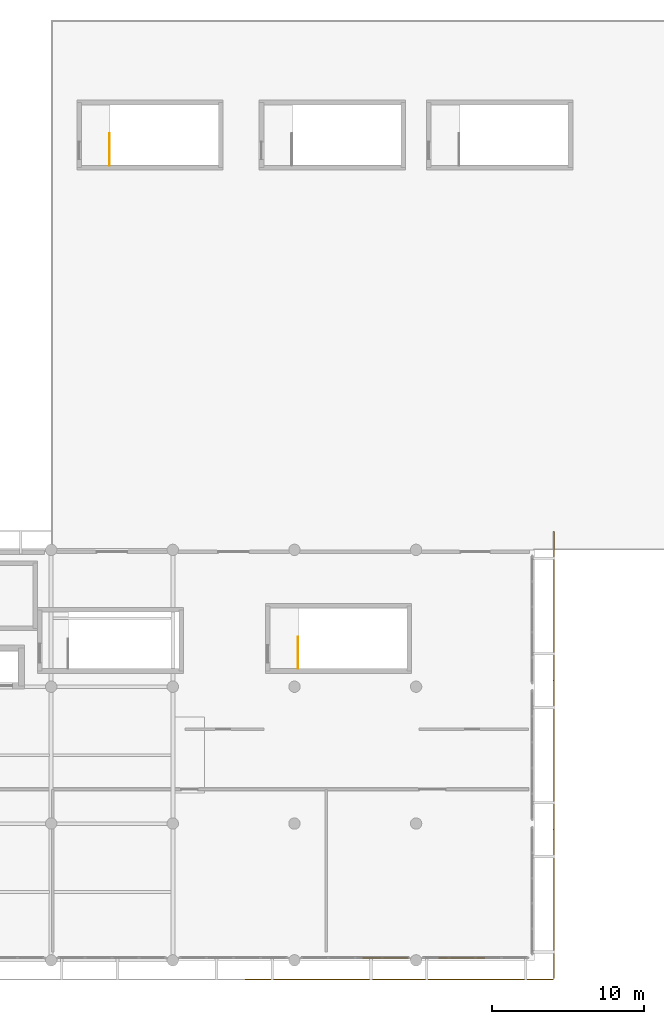
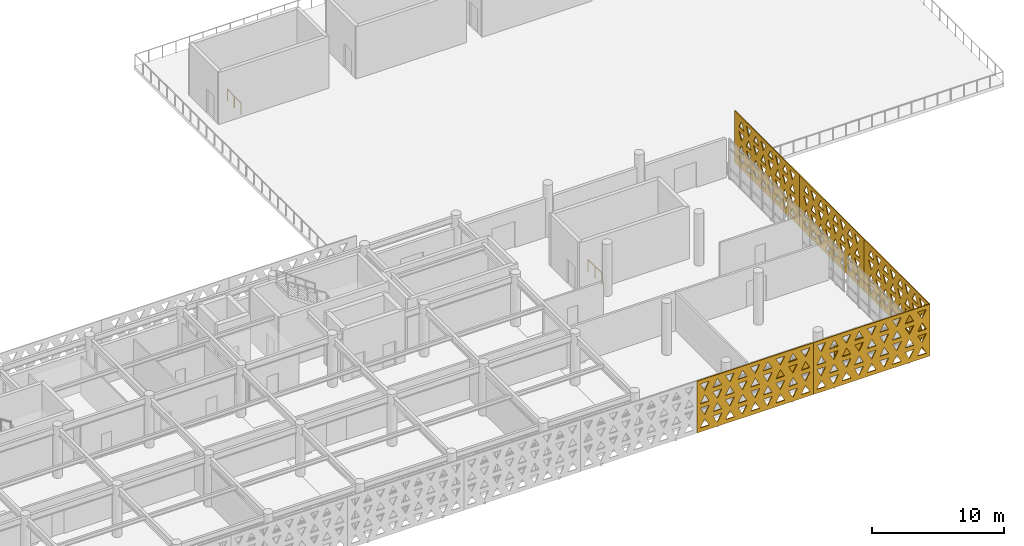
# One storey, part 32 of 33: 5 coverings, 2 railings, 2 shading devices.
"""IFC4 building model written with IfcOpenShell, lengths in metres."""

from ifc_helpers import new_model, si_unit, direction, frame, origin, origin_2d, place, context, subcontext, project, spatial, polyline, rectangle, circle, outline, extrude, material, layer, layer_set, type_object, element, save


model = new_model("IFC4")

# Units and contexts
model_context = context("Model", 3, precision=1e-05, world=origin(), true_north=direction((0.0, 1.0)))
body_context = subcontext(model_context, "Body", "Model", "MODEL_VIEW")
ifc_project = project(units=[si_unit("LENGTHUNIT", "METRE"), si_unit("AREAUNIT", "SQUARE_METRE"), si_unit("VOLUMEUNIT", "CUBIC_METRE"), si_unit("PLANEANGLEUNIT", "RADIAN"), si_unit("MASSUNIT", "GRAM", prefix="KILO")], contexts=[model_context])

# Site, building, storey
site_placement = place(None, origin())
site = spatial("IfcSite", under=ifc_project, at=site_placement, CompositionType="ELEMENT")
building_placement = place(site_placement, origin())
building = spatial("IfcBuilding", under=site, at=building_placement, Name="Tlacozan Convention Centre", CompositionType="ELEMENT")
storey_placement = place(building_placement, frame((0.0, 0.0, 16.199951171875)))
storey = spatial("IfcBuildingStorey", under=building, at=storey_placement, Name="L03", CompositionType="ELEMENT", Elevation=16.199951171875)

# Shading devices
ifc_material_1 = material(Name="Dark Bronze Anodised Aluminium", Category="aluminium")
ifc_layer_1 = layer(ifc_material_1, 0.1201171875)
ifc_layer_set_1 = layer_set([ifc_layer_1], Name="Dark Bronze Anodised Aluminium")
shading_device_type = type_object("IfcShadingDeviceType", Name="Acoustic Plant Louvre Bank", PredefinedType="JALOUSIE", material=ifc_layer_set_1)
for number, where, z_axis, x_axis, name in (
    (1, (110.0, 0.159912109375, 1.35009765625), (0.0, 0.0, 1.0), (1.0, 0.0, 0.0), "L03 Acoustic Plant Louvre 2"),
    (2, (115.0, 0.159912109375, 1.35009765625), (0.0, 0.0, 1.0), (1.0, 0.0, 0.0), "L03 Acoustic Plant Louvre 3"),
):
    element("IfcShadingDevice", number, at=place(storey_placement, frame(where, z_axis=z_axis, x_axis=x_axis)), inside=storey, type_object=shading_device_type, Name=name, PredefinedType="JALOUSIE", context=body_context, shape_type="SweptSolid", body=[
        extrude(rectangle(XDim=3.0, YDim=0.1201171875, at=origin_2d()), origin(), (0.0, 0.0, 1.0), 1.300048828125),
    ])

# Railings
ifc_material_2 = material(Name="Architectural Painted Galvanised Steel Railing", Category="steel")
railing_type = type_object("IfcRailingType", Name="Stair Well Guardrail 1100", PredefinedType="GUARDRAIL", material=ifc_material_2)
railing_1_placement = place(storey_placement, frame((104.22998046875, 19.199951171875, 0.0)))
element("IfcRailing", 3, at=railing_1_placement, inside=storey, type_object=railing_type, Name="L03 ST-05 top well guard 1", PredefinedType="GUARDRAIL", context=body_context, shape_type="SweptSolid", body=[
    extrude(circle(Radius=0.02392578125, at=origin_2d()), frame((0.0, 0.0, 1.076171875), z_axis=(0.0, 1.0, 0.0), x_axis=(-1.0, 0.0, 0.0)), (0.0, 0.0, 1.0), 2.080078125),
    extrude(circle(Radius=0.02099609375, at=origin_2d()), origin(), (0.0, 0.0, 1.0), 1.052001953125),
    extrude(circle(Radius=0.02099609375, at=origin_2d()), frame((0.0, 1.0400390625, 0.0)), (0.0, 0.0, 1.0), 1.052001953125),
    extrude(circle(Radius=0.02099609375, at=origin_2d()), frame((0.0, 2.080078125, 0.0)), (0.0, 0.0, 1.0), 1.052001953125),
])
railing_2_placement = place(storey_placement, frame((91.830078125, 52.300048828125, 0.0)))
element("IfcRailing", 4, at=railing_2_placement, inside=storey, type_object=railing_type, Name="L03 ST-06 top well guard 1", PredefinedType="GUARDRAIL", context=body_context, shape_type="SweptSolid", body=[
    extrude(circle(Radius=0.02392578125, at=origin_2d()), frame((0.0, 0.0, 1.076171875), z_axis=(0.0, 1.0, 0.0), x_axis=(-1.0, 0.0, 0.0)), (0.0, 0.0, 1.0), 2.079833984375),
    extrude(circle(Radius=0.02099609375, at=origin_2d()), origin(), (0.0, 0.0, 1.0), 1.052001953125),
    extrude(circle(Radius=0.02099609375, at=origin_2d()), frame((0.0, 1.0400390625, 0.0)), (0.0, 0.0, 1.0), 1.052001953125),
    extrude(circle(Radius=0.02099609375, at=origin_2d()), frame((0.0, 2.079833984375, 0.0)), (0.0, 0.0, 1.0), 1.052001953125),
])

# Coverings
ifc_material_3 = material(Name="Toluca Fired Terracotta Masonry Solar Screen", Category="masonry")
ifc_layer_2 = layer(ifc_material_3, 0.080078125)
ifc_layer_set_2 = layer_set([ifc_layer_2], Name="Toluca Fired Terracotta Masonry Solar Screen")
covering_type = type_object("IfcCoveringType", Name="Terracotta Triangle Solar Screen 80", PredefinedType="USERDEFINED", material=ifc_layer_set_2)
covering_1_placement = place(storey_placement, frame((100.701904296875, -1.25, -0.030029296875), z_axis=(0.0, 0.0, 1.0), x_axis=(1.0, 0.0, 0.0)))
element("IfcCovering", 5, at=covering_1_placement, inside=storey, type_object=covering_type, Name="L03 Terracotta Triangle Screen 61", ObjectType="SCREEN", PredefinedType="USERDEFINED", context=body_context, shape_type="SweptSolid", body=[
    extrude(outline(polyline([(0.0, 0.0), (10.171142578125, 0.0), (10.171142578125, 4.780029296875), (0.0, 4.780029296875), (0.0, 0.0)]), holes=[polyline([(0.299560546875, 0.360107421875), (1.071533203125, 0.360107421875), (0.685546875, 1.074951171875), (0.299560546875, 0.360107421875)]), polyline([(1.399658203125, 1.074951171875), (2.171630859375, 1.074951171875), (1.78564453125, 0.360107421875), (1.399658203125, 1.074951171875)]), polyline([(2.49951171875, 0.360107421875), (3.271484375, 0.360107421875), (2.885498046875, 1.074951171875), (2.49951171875, 0.360107421875)]), polyline([(3.599609375, 1.074951171875), (4.37158203125, 1.074951171875), (3.985595703125, 0.360107421875), (3.599609375, 1.074951171875)]), polyline([(4.699462890625, 0.360107421875), (5.4716796875, 0.360107421875), (5.08544921875, 1.074951171875), (4.699462890625, 0.360107421875)]), polyline([(5.799560546875, 1.074951171875), (6.571533203125, 1.074951171875), (6.185546875, 0.360107421875), (5.799560546875, 1.074951171875)]), polyline([(6.899658203125, 0.360107421875), (7.671630859375, 0.360107421875), (7.28564453125, 1.074951171875), (6.899658203125, 0.360107421875)]), polyline([(7.99951171875, 1.074951171875), (8.771484375, 1.074951171875), (8.385498046875, 0.360107421875), (7.99951171875, 1.074951171875)]), polyline([(9.099609375, 0.360107421875), (9.87158203125, 0.360107421875), (9.485595703125, 1.074951171875), (9.099609375, 0.360107421875)]), polyline([(0.299560546875, 2.18994140625), (1.071533203125, 2.18994140625), (0.685546875, 1.47509765625), (0.299560546875, 2.18994140625)]), polyline([(1.399658203125, 1.47509765625), (2.171630859375, 1.47509765625), (1.78564453125, 2.18994140625), (1.399658203125, 1.47509765625)]), polyline([(2.49951171875, 2.18994140625), (3.271484375, 2.18994140625), (2.885498046875, 1.47509765625), (2.49951171875, 2.18994140625)]), polyline([(3.599609375, 1.47509765625), (4.37158203125, 1.47509765625), (3.985595703125, 2.18994140625), (3.599609375, 1.47509765625)]), polyline([(4.699462890625, 2.18994140625), (5.4716796875, 2.18994140625), (5.08544921875, 1.47509765625), (4.699462890625, 2.18994140625)]), polyline([(5.799560546875, 1.47509765625), (6.571533203125, 1.47509765625), (6.185546875, 2.18994140625), (5.799560546875, 1.47509765625)]), polyline([(6.899658203125, 2.18994140625), (7.671630859375, 2.18994140625), (7.28564453125, 1.47509765625), (6.899658203125, 2.18994140625)]), polyline([(7.99951171875, 1.47509765625), (8.771484375, 1.47509765625), (8.385498046875, 2.18994140625), (7.99951171875, 1.47509765625)]), polyline([(9.099609375, 2.18994140625), (9.87158203125, 2.18994140625), (9.485595703125, 1.47509765625), (9.099609375, 2.18994140625)]), polyline([(0.299560546875, 2.590087890625), (1.071533203125, 2.590087890625), (0.685546875, 3.304931640625), (0.299560546875, 2.590087890625)]), polyline([(1.399658203125, 3.304931640625), (2.171630859375, 3.304931640625), (1.78564453125, 2.590087890625), (1.399658203125, 3.304931640625)]), polyline([(2.49951171875, 2.590087890625), (3.271484375, 2.590087890625), (2.885498046875, 3.304931640625), (2.49951171875, 2.590087890625)]), polyline([(3.599609375, 3.304931640625), (4.37158203125, 3.304931640625), (3.985595703125, 2.590087890625), (3.599609375, 3.304931640625)]), polyline([(4.699462890625, 2.590087890625), (5.4716796875, 2.590087890625), (5.08544921875, 3.304931640625), (4.699462890625, 2.590087890625)]), polyline([(5.799560546875, 3.304931640625), (6.571533203125, 3.304931640625), (6.185546875, 2.590087890625), (5.799560546875, 3.304931640625)]), polyline([(6.899658203125, 2.590087890625), (7.671630859375, 2.590087890625), (7.28564453125, 3.304931640625), (6.899658203125, 2.590087890625)]), polyline([(7.99951171875, 3.304931640625), (8.771484375, 3.304931640625), (8.385498046875, 2.590087890625), (7.99951171875, 3.304931640625)]), polyline([(9.099609375, 2.590087890625), (9.87158203125, 2.590087890625), (9.485595703125, 3.304931640625), (9.099609375, 2.590087890625)]), polyline([(0.299560546875, 4.419921875), (1.071533203125, 4.419921875), (0.685546875, 3.705078125), (0.299560546875, 4.419921875)]), polyline([(1.399658203125, 3.705078125), (2.171630859375, 3.705078125), (1.78564453125, 4.419921875), (1.399658203125, 3.705078125)]), polyline([(2.49951171875, 4.419921875), (3.271484375, 4.419921875), (2.885498046875, 3.705078125), (2.49951171875, 4.419921875)]), polyline([(3.599609375, 3.705078125), (4.37158203125, 3.705078125), (3.985595703125, 4.419921875), (3.599609375, 3.705078125)]), polyline([(4.699462890625, 4.419921875), (5.4716796875, 4.419921875), (5.08544921875, 3.705078125), (4.699462890625, 4.419921875)]), polyline([(5.799560546875, 3.705078125), (6.571533203125, 3.705078125), (6.185546875, 4.419921875), (5.799560546875, 3.705078125)]), polyline([(6.899658203125, 4.419921875), (7.671630859375, 4.419921875), (7.28564453125, 3.705078125), (6.899658203125, 4.419921875)]), polyline([(7.99951171875, 3.705078125), (8.771484375, 3.705078125), (8.385498046875, 4.419921875), (7.99951171875, 3.705078125)]), polyline([(9.099609375, 4.419921875), (9.87158203125, 4.419921875), (9.485595703125, 3.705078125), (9.099609375, 4.419921875)])]), frame((0.0, 0.0400390625, 0.0), z_axis=(0.0, -1.0, 0.0), x_axis=(1.0, 0.0, 0.0)), (0.0, 0.0, 1.0), 0.080078125),
])
covering_2_placement = place(storey_placement, frame((110.876953125, -1.25, -0.030029296875), z_axis=(0.0, 0.0, 1.0), x_axis=(1.0, 0.0, 0.0)))
element("IfcCovering", 6, at=covering_2_placement, inside=storey, type_object=covering_type, Name="L03 Terracotta Triangle Screen 62", ObjectType="SCREEN", PredefinedType="USERDEFINED", context=body_context, shape_type="SweptSolid", body=[
    extrude(outline(polyline([(0.0, 0.0), (10.171142578125, 0.0), (10.171142578125, 4.780029296875), (0.0, 4.780029296875), (0.0, 0.0)]), holes=[polyline([(0.299560546875, 0.360107421875), (1.071533203125, 0.360107421875), (0.685546875, 1.074951171875), (0.299560546875, 0.360107421875)]), polyline([(1.399658203125, 1.074951171875), (2.171630859375, 1.074951171875), (1.78564453125, 0.360107421875), (1.399658203125, 1.074951171875)]), polyline([(2.49951171875, 0.360107421875), (3.271484375, 0.360107421875), (2.885498046875, 1.074951171875), (2.49951171875, 0.360107421875)]), polyline([(3.599609375, 1.074951171875), (4.37158203125, 1.074951171875), (3.985595703125, 0.360107421875), (3.599609375, 1.074951171875)]), polyline([(4.699462890625, 0.360107421875), (5.4716796875, 0.360107421875), (5.08544921875, 1.074951171875), (4.699462890625, 0.360107421875)]), polyline([(5.799560546875, 1.074951171875), (6.571533203125, 1.074951171875), (6.185546875, 0.360107421875), (5.799560546875, 1.074951171875)]), polyline([(6.899658203125, 0.360107421875), (7.671630859375, 0.360107421875), (7.28564453125, 1.074951171875), (6.899658203125, 0.360107421875)]), polyline([(7.99951171875, 1.074951171875), (8.771484375, 1.074951171875), (8.385498046875, 0.360107421875), (7.99951171875, 1.074951171875)]), polyline([(9.099609375, 0.360107421875), (9.87158203125, 0.360107421875), (9.485595703125, 1.074951171875), (9.099609375, 0.360107421875)]), polyline([(0.299560546875, 2.18994140625), (1.071533203125, 2.18994140625), (0.685546875, 1.47509765625), (0.299560546875, 2.18994140625)]), polyline([(1.399658203125, 1.47509765625), (2.171630859375, 1.47509765625), (1.78564453125, 2.18994140625), (1.399658203125, 1.47509765625)]), polyline([(2.49951171875, 2.18994140625), (3.271484375, 2.18994140625), (2.885498046875, 1.47509765625), (2.49951171875, 2.18994140625)]), polyline([(3.599609375, 1.47509765625), (4.37158203125, 1.47509765625), (3.985595703125, 2.18994140625), (3.599609375, 1.47509765625)]), polyline([(4.699462890625, 2.18994140625), (5.4716796875, 2.18994140625), (5.08544921875, 1.47509765625), (4.699462890625, 2.18994140625)]), polyline([(5.799560546875, 1.47509765625), (6.571533203125, 1.47509765625), (6.185546875, 2.18994140625), (5.799560546875, 1.47509765625)]), polyline([(6.899658203125, 2.18994140625), (7.671630859375, 2.18994140625), (7.28564453125, 1.47509765625), (6.899658203125, 2.18994140625)]), polyline([(7.99951171875, 1.47509765625), (8.771484375, 1.47509765625), (8.385498046875, 2.18994140625), (7.99951171875, 1.47509765625)]), polyline([(9.099609375, 2.18994140625), (9.87158203125, 2.18994140625), (9.485595703125, 1.47509765625), (9.099609375, 2.18994140625)]), polyline([(0.299560546875, 2.590087890625), (1.071533203125, 2.590087890625), (0.685546875, 3.304931640625), (0.299560546875, 2.590087890625)]), polyline([(1.399658203125, 3.304931640625), (2.171630859375, 3.304931640625), (1.78564453125, 2.590087890625), (1.399658203125, 3.304931640625)]), polyline([(2.49951171875, 2.590087890625), (3.271484375, 2.590087890625), (2.885498046875, 3.304931640625), (2.49951171875, 2.590087890625)]), polyline([(3.599609375, 3.304931640625), (4.37158203125, 3.304931640625), (3.985595703125, 2.590087890625), (3.599609375, 3.304931640625)]), polyline([(4.699462890625, 2.590087890625), (5.4716796875, 2.590087890625), (5.08544921875, 3.304931640625), (4.699462890625, 2.590087890625)]), polyline([(5.799560546875, 3.304931640625), (6.571533203125, 3.304931640625), (6.185546875, 2.590087890625), (5.799560546875, 3.304931640625)]), polyline([(6.899658203125, 2.590087890625), (7.671630859375, 2.590087890625), (7.28564453125, 3.304931640625), (6.899658203125, 2.590087890625)]), polyline([(7.99951171875, 3.304931640625), (8.771484375, 3.304931640625), (8.385498046875, 2.590087890625), (7.99951171875, 3.304931640625)]), polyline([(9.099609375, 2.590087890625), (9.87158203125, 2.590087890625), (9.485595703125, 3.304931640625), (9.099609375, 2.590087890625)]), polyline([(0.299560546875, 4.419921875), (1.071533203125, 4.419921875), (0.685546875, 3.705078125), (0.299560546875, 4.419921875)]), polyline([(1.399658203125, 3.705078125), (2.171630859375, 3.705078125), (1.78564453125, 4.419921875), (1.399658203125, 3.705078125)]), polyline([(2.49951171875, 4.419921875), (3.271484375, 4.419921875), (2.885498046875, 3.705078125), (2.49951171875, 4.419921875)]), polyline([(3.599609375, 3.705078125), (4.37158203125, 3.705078125), (3.985595703125, 4.419921875), (3.599609375, 3.705078125)]), polyline([(4.699462890625, 4.419921875), (5.4716796875, 4.419921875), (5.08544921875, 3.705078125), (4.699462890625, 4.419921875)]), polyline([(5.799560546875, 3.705078125), (6.571533203125, 3.705078125), (6.185546875, 4.419921875), (5.799560546875, 3.705078125)]), polyline([(6.899658203125, 4.419921875), (7.671630859375, 4.419921875), (7.28564453125, 3.705078125), (6.899658203125, 4.419921875)]), polyline([(7.99951171875, 3.705078125), (8.771484375, 3.705078125), (8.385498046875, 4.419921875), (7.99951171875, 3.705078125)]), polyline([(9.099609375, 4.419921875), (9.87158203125, 4.419921875), (9.485595703125, 3.705078125), (9.099609375, 4.419921875)])]), frame((0.0, 0.0400390625, 0.0), z_axis=(0.0, -1.0, 0.0), x_axis=(1.0, 0.0, 0.0)), (0.0, 0.0, 1.0), 0.080078125),
])
covering_3_placement = place(storey_placement, frame((121.050048828125, -1.205078125, -0.030029296875), z_axis=(0.0, 0.0, 1.0), x_axis=(0.0, 1.0, 0.0)))
element("IfcCovering", 7, at=covering_3_placement, inside=storey, type_object=covering_type, Name="L03 Terracotta Triangle Screen 66", ObjectType="SCREEN", PredefinedType="USERDEFINED", context=body_context, shape_type="SweptSolid", body=[
    extrude(outline(polyline([(0.0, 0.0), (9.80078125, 0.0), (9.80078125, 4.780029296875), (0.0, 4.780029296875), (0.0, 0.0)]), holes=[polyline([(0.664306640625, 0.360107421875), (1.4365234375, 0.360107421875), (1.05029296875, 1.074951171875), (0.664306640625, 0.360107421875)]), polyline([(1.764404296875, 1.074951171875), (2.536376953125, 1.074951171875), (2.150390625, 0.360107421875), (1.764404296875, 1.074951171875)]), polyline([(2.8642578125, 0.360107421875), (3.636474609375, 0.360107421875), (3.25048828125, 1.074951171875), (2.8642578125, 0.360107421875)]), polyline([(3.96435546875, 1.074951171875), (4.736328125, 1.074951171875), (4.350341796875, 0.360107421875), (3.96435546875, 1.074951171875)]), polyline([(5.064453125, 0.360107421875), (5.83642578125, 0.360107421875), (5.450439453125, 1.074951171875), (5.064453125, 0.360107421875)]), polyline([(6.164306640625, 1.074951171875), (6.9365234375, 1.074951171875), (6.55029296875, 0.360107421875), (6.164306640625, 1.074951171875)]), polyline([(7.264404296875, 0.360107421875), (8.036376953125, 0.360107421875), (7.650390625, 1.074951171875), (7.264404296875, 0.360107421875)]), polyline([(8.3642578125, 1.074951171875), (9.136474609375, 1.074951171875), (8.75048828125, 0.360107421875), (8.3642578125, 1.074951171875)]), polyline([(0.664306640625, 2.18994140625), (1.4365234375, 2.18994140625), (1.05029296875, 1.47509765625), (0.664306640625, 2.18994140625)]), polyline([(1.764404296875, 1.47509765625), (2.536376953125, 1.47509765625), (2.150390625, 2.18994140625), (1.764404296875, 1.47509765625)]), polyline([(2.8642578125, 2.18994140625), (3.636474609375, 2.18994140625), (3.25048828125, 1.47509765625), (2.8642578125, 2.18994140625)]), polyline([(3.96435546875, 1.47509765625), (4.736328125, 1.47509765625), (4.350341796875, 2.18994140625), (3.96435546875, 1.47509765625)]), polyline([(5.064453125, 2.18994140625), (5.83642578125, 2.18994140625), (5.450439453125, 1.47509765625), (5.064453125, 2.18994140625)]), polyline([(6.164306640625, 1.47509765625), (6.9365234375, 1.47509765625), (6.55029296875, 2.18994140625), (6.164306640625, 1.47509765625)]), polyline([(7.264404296875, 2.18994140625), (8.036376953125, 2.18994140625), (7.650390625, 1.47509765625), (7.264404296875, 2.18994140625)]), polyline([(8.3642578125, 1.47509765625), (9.136474609375, 1.47509765625), (8.75048828125, 2.18994140625), (8.3642578125, 1.47509765625)]), polyline([(0.664306640625, 2.590087890625), (1.4365234375, 2.590087890625), (1.05029296875, 3.304931640625), (0.664306640625, 2.590087890625)]), polyline([(1.764404296875, 3.304931640625), (2.536376953125, 3.304931640625), (2.150390625, 2.590087890625), (1.764404296875, 3.304931640625)]), polyline([(2.8642578125, 2.590087890625), (3.636474609375, 2.590087890625), (3.25048828125, 3.304931640625), (2.8642578125, 2.590087890625)]), polyline([(3.96435546875, 3.304931640625), (4.736328125, 3.304931640625), (4.350341796875, 2.590087890625), (3.96435546875, 3.304931640625)]), polyline([(5.064453125, 2.590087890625), (5.83642578125, 2.590087890625), (5.450439453125, 3.304931640625), (5.064453125, 2.590087890625)]), polyline([(6.164306640625, 3.304931640625), (6.9365234375, 3.304931640625), (6.55029296875, 2.590087890625), (6.164306640625, 3.304931640625)]), polyline([(7.264404296875, 2.590087890625), (8.036376953125, 2.590087890625), (7.650390625, 3.304931640625), (7.264404296875, 2.590087890625)]), polyline([(8.3642578125, 3.304931640625), (9.136474609375, 3.304931640625), (8.75048828125, 2.590087890625), (8.3642578125, 3.304931640625)]), polyline([(0.664306640625, 4.419921875), (1.4365234375, 4.419921875), (1.05029296875, 3.705078125), (0.664306640625, 4.419921875)]), polyline([(1.764404296875, 3.705078125), (2.536376953125, 3.705078125), (2.150390625, 4.419921875), (1.764404296875, 3.705078125)]), polyline([(2.8642578125, 4.419921875), (3.636474609375, 4.419921875), (3.25048828125, 3.705078125), (2.8642578125, 4.419921875)]), polyline([(3.96435546875, 3.705078125), (4.736328125, 3.705078125), (4.350341796875, 4.419921875), (3.96435546875, 3.705078125)]), polyline([(5.064453125, 4.419921875), (5.83642578125, 4.419921875), (5.450439453125, 3.705078125), (5.064453125, 4.419921875)]), polyline([(6.164306640625, 3.705078125), (6.9365234375, 3.705078125), (6.55029296875, 4.419921875), (6.164306640625, 3.705078125)]), polyline([(7.264404296875, 4.419921875), (8.036376953125, 4.419921875), (7.650390625, 3.705078125), (7.264404296875, 4.419921875)]), polyline([(8.3642578125, 3.705078125), (9.136474609375, 3.705078125), (8.75048828125, 4.419921875), (8.3642578125, 3.705078125)])]), frame((0.0, 0.0400390625, 0.0), z_axis=(0.0, -1.0, 0.0), x_axis=(1.0, 0.0, 0.0)), (0.0, 0.0, 1.0), 0.080078125),
])
covering_4_placement = place(storey_placement, frame((121.050048828125, 8.599609375, -0.030029296875), z_axis=(0.0, 0.0, 1.0), x_axis=(0.0, 1.0, 0.0)))
element("IfcCovering", 8, at=covering_4_placement, inside=storey, type_object=covering_type, Name="L03 Terracotta Triangle Screen 67", ObjectType="SCREEN", PredefinedType="USERDEFINED", context=body_context, shape_type="SweptSolid", body=[
    extrude(outline(polyline([(0.0, 0.0), (9.80078125, 0.0), (9.80078125, 4.780029296875), (0.0, 4.780029296875), (0.0, 0.0)]), holes=[polyline([(0.664306640625, 0.360107421875), (1.4365234375, 0.360107421875), (1.05029296875, 1.074951171875), (0.664306640625, 0.360107421875)]), polyline([(1.764404296875, 1.074951171875), (2.536376953125, 1.074951171875), (2.150390625, 0.360107421875), (1.764404296875, 1.074951171875)]), polyline([(2.8642578125, 0.360107421875), (3.636474609375, 0.360107421875), (3.25048828125, 1.074951171875), (2.8642578125, 0.360107421875)]), polyline([(3.96435546875, 1.074951171875), (4.736328125, 1.074951171875), (4.350341796875, 0.360107421875), (3.96435546875, 1.074951171875)]), polyline([(5.064453125, 0.360107421875), (5.83642578125, 0.360107421875), (5.450439453125, 1.074951171875), (5.064453125, 0.360107421875)]), polyline([(6.164306640625, 1.074951171875), (6.9365234375, 1.074951171875), (6.55029296875, 0.360107421875), (6.164306640625, 1.074951171875)]), polyline([(7.264404296875, 0.360107421875), (8.036376953125, 0.360107421875), (7.650390625, 1.074951171875), (7.264404296875, 0.360107421875)]), polyline([(8.3642578125, 1.074951171875), (9.136474609375, 1.074951171875), (8.75048828125, 0.360107421875), (8.3642578125, 1.074951171875)]), polyline([(0.664306640625, 2.18994140625), (1.4365234375, 2.18994140625), (1.05029296875, 1.47509765625), (0.664306640625, 2.18994140625)]), polyline([(1.764404296875, 1.47509765625), (2.536376953125, 1.47509765625), (2.150390625, 2.18994140625), (1.764404296875, 1.47509765625)]), polyline([(2.8642578125, 2.18994140625), (3.636474609375, 2.18994140625), (3.25048828125, 1.47509765625), (2.8642578125, 2.18994140625)]), polyline([(3.96435546875, 1.47509765625), (4.736328125, 1.47509765625), (4.350341796875, 2.18994140625), (3.96435546875, 1.47509765625)]), polyline([(5.064453125, 2.18994140625), (5.83642578125, 2.18994140625), (5.450439453125, 1.47509765625), (5.064453125, 2.18994140625)]), polyline([(6.164306640625, 1.47509765625), (6.9365234375, 1.47509765625), (6.55029296875, 2.18994140625), (6.164306640625, 1.47509765625)]), polyline([(7.264404296875, 2.18994140625), (8.036376953125, 2.18994140625), (7.650390625, 1.47509765625), (7.264404296875, 2.18994140625)]), polyline([(8.3642578125, 1.47509765625), (9.136474609375, 1.47509765625), (8.75048828125, 2.18994140625), (8.3642578125, 1.47509765625)]), polyline([(0.664306640625, 2.590087890625), (1.4365234375, 2.590087890625), (1.05029296875, 3.304931640625), (0.664306640625, 2.590087890625)]), polyline([(1.764404296875, 3.304931640625), (2.536376953125, 3.304931640625), (2.150390625, 2.590087890625), (1.764404296875, 3.304931640625)]), polyline([(2.8642578125, 2.590087890625), (3.636474609375, 2.590087890625), (3.25048828125, 3.304931640625), (2.8642578125, 2.590087890625)]), polyline([(3.96435546875, 3.304931640625), (4.736328125, 3.304931640625), (4.350341796875, 2.590087890625), (3.96435546875, 3.304931640625)]), polyline([(5.064453125, 2.590087890625), (5.83642578125, 2.590087890625), (5.450439453125, 3.304931640625), (5.064453125, 2.590087890625)]), polyline([(6.164306640625, 3.304931640625), (6.9365234375, 3.304931640625), (6.55029296875, 2.590087890625), (6.164306640625, 3.304931640625)]), polyline([(7.264404296875, 2.590087890625), (8.036376953125, 2.590087890625), (7.650390625, 3.304931640625), (7.264404296875, 2.590087890625)]), polyline([(8.3642578125, 3.304931640625), (9.136474609375, 3.304931640625), (8.75048828125, 2.590087890625), (8.3642578125, 3.304931640625)]), polyline([(0.664306640625, 4.419921875), (1.4365234375, 4.419921875), (1.05029296875, 3.705078125), (0.664306640625, 4.419921875)]), polyline([(1.764404296875, 3.705078125), (2.536376953125, 3.705078125), (2.150390625, 4.419921875), (1.764404296875, 3.705078125)]), polyline([(2.8642578125, 4.419921875), (3.636474609375, 4.419921875), (3.25048828125, 3.705078125), (2.8642578125, 4.419921875)]), polyline([(3.96435546875, 3.705078125), (4.736328125, 3.705078125), (4.350341796875, 4.419921875), (3.96435546875, 3.705078125)]), polyline([(5.064453125, 4.419921875), (5.83642578125, 4.419921875), (5.450439453125, 3.705078125), (5.064453125, 4.419921875)]), polyline([(6.164306640625, 3.705078125), (6.9365234375, 3.705078125), (6.55029296875, 4.419921875), (6.164306640625, 3.705078125)]), polyline([(7.264404296875, 4.419921875), (8.036376953125, 4.419921875), (7.650390625, 3.705078125), (7.264404296875, 4.419921875)]), polyline([(8.3642578125, 3.705078125), (9.136474609375, 3.705078125), (8.75048828125, 4.419921875), (8.3642578125, 3.705078125)])]), frame((0.0, 0.0400390625, 0.0), z_axis=(0.0, -1.0, 0.0), x_axis=(1.0, 0.0, 0.0)), (0.0, 0.0, 1.0), 0.080078125),
])
covering_5_placement = place(storey_placement, frame((121.050048828125, 18.404296875, -0.030029296875), z_axis=(0.0, 0.0, 1.0), x_axis=(0.0, 1.0, 0.0)))
element("IfcCovering", 9, at=covering_5_placement, inside=storey, type_object=covering_type, Name="L03 Terracotta Triangle Screen 68", ObjectType="SCREEN", PredefinedType="USERDEFINED", context=body_context, shape_type="SweptSolid", body=[
    extrude(outline(polyline([(0.0, 0.0), (9.80078125, 0.0), (9.80078125, 4.780029296875), (0.0, 4.780029296875), (0.0, 0.0)]), holes=[polyline([(0.664306640625, 0.360107421875), (1.4365234375, 0.360107421875), (1.05029296875, 1.074951171875), (0.664306640625, 0.360107421875)]), polyline([(1.764404296875, 1.074951171875), (2.536376953125, 1.074951171875), (2.150390625, 0.360107421875), (1.764404296875, 1.074951171875)]), polyline([(2.8642578125, 0.360107421875), (3.636474609375, 0.360107421875), (3.25048828125, 1.074951171875), (2.8642578125, 0.360107421875)]), polyline([(3.96435546875, 1.074951171875), (4.736328125, 1.074951171875), (4.350341796875, 0.360107421875), (3.96435546875, 1.074951171875)]), polyline([(5.064453125, 0.360107421875), (5.83642578125, 0.360107421875), (5.450439453125, 1.074951171875), (5.064453125, 0.360107421875)]), polyline([(6.164306640625, 1.074951171875), (6.9365234375, 1.074951171875), (6.55029296875, 0.360107421875), (6.164306640625, 1.074951171875)]), polyline([(7.264404296875, 0.360107421875), (8.036376953125, 0.360107421875), (7.650390625, 1.074951171875), (7.264404296875, 0.360107421875)]), polyline([(8.3642578125, 1.074951171875), (9.136474609375, 1.074951171875), (8.75048828125, 0.360107421875), (8.3642578125, 1.074951171875)]), polyline([(0.664306640625, 2.18994140625), (1.4365234375, 2.18994140625), (1.05029296875, 1.47509765625), (0.664306640625, 2.18994140625)]), polyline([(1.764404296875, 1.47509765625), (2.536376953125, 1.47509765625), (2.150390625, 2.18994140625), (1.764404296875, 1.47509765625)]), polyline([(2.8642578125, 2.18994140625), (3.636474609375, 2.18994140625), (3.25048828125, 1.47509765625), (2.8642578125, 2.18994140625)]), polyline([(3.96435546875, 1.47509765625), (4.736328125, 1.47509765625), (4.350341796875, 2.18994140625), (3.96435546875, 1.47509765625)]), polyline([(5.064453125, 2.18994140625), (5.83642578125, 2.18994140625), (5.450439453125, 1.47509765625), (5.064453125, 2.18994140625)]), polyline([(6.164306640625, 1.47509765625), (6.9365234375, 1.47509765625), (6.55029296875, 2.18994140625), (6.164306640625, 1.47509765625)]), polyline([(7.264404296875, 2.18994140625), (8.036376953125, 2.18994140625), (7.650390625, 1.47509765625), (7.264404296875, 2.18994140625)]), polyline([(8.3642578125, 1.47509765625), (9.136474609375, 1.47509765625), (8.75048828125, 2.18994140625), (8.3642578125, 1.47509765625)]), polyline([(0.664306640625, 2.590087890625), (1.4365234375, 2.590087890625), (1.05029296875, 3.304931640625), (0.664306640625, 2.590087890625)]), polyline([(1.764404296875, 3.304931640625), (2.536376953125, 3.304931640625), (2.150390625, 2.590087890625), (1.764404296875, 3.304931640625)]), polyline([(2.8642578125, 2.590087890625), (3.636474609375, 2.590087890625), (3.25048828125, 3.304931640625), (2.8642578125, 2.590087890625)]), polyline([(3.96435546875, 3.304931640625), (4.736328125, 3.304931640625), (4.350341796875, 2.590087890625), (3.96435546875, 3.304931640625)]), polyline([(5.064453125, 2.590087890625), (5.83642578125, 2.590087890625), (5.450439453125, 3.304931640625), (5.064453125, 2.590087890625)]), polyline([(6.164306640625, 3.304931640625), (6.9365234375, 3.304931640625), (6.55029296875, 2.590087890625), (6.164306640625, 3.304931640625)]), polyline([(7.264404296875, 2.590087890625), (8.036376953125, 2.590087890625), (7.650390625, 3.304931640625), (7.264404296875, 2.590087890625)]), polyline([(8.3642578125, 3.304931640625), (9.136474609375, 3.304931640625), (8.75048828125, 2.590087890625), (8.3642578125, 3.304931640625)]), polyline([(0.664306640625, 4.419921875), (1.4365234375, 4.419921875), (1.05029296875, 3.705078125), (0.664306640625, 4.419921875)]), polyline([(1.764404296875, 3.705078125), (2.536376953125, 3.705078125), (2.150390625, 4.419921875), (1.764404296875, 3.705078125)]), polyline([(2.8642578125, 4.419921875), (3.636474609375, 4.419921875), (3.25048828125, 3.705078125), (2.8642578125, 4.419921875)]), polyline([(3.96435546875, 3.705078125), (4.736328125, 3.705078125), (4.350341796875, 4.419921875), (3.96435546875, 3.705078125)]), polyline([(5.064453125, 4.419921875), (5.83642578125, 4.419921875), (5.450439453125, 3.705078125), (5.064453125, 4.419921875)]), polyline([(6.164306640625, 3.705078125), (6.9365234375, 3.705078125), (6.55029296875, 4.419921875), (6.164306640625, 3.705078125)]), polyline([(7.264404296875, 4.419921875), (8.036376953125, 4.419921875), (7.650390625, 3.705078125), (7.264404296875, 4.419921875)]), polyline([(8.3642578125, 3.705078125), (9.136474609375, 3.705078125), (8.75048828125, 4.419921875), (8.3642578125, 3.705078125)])]), frame((0.0, 0.0400390625, 0.0), z_axis=(0.0, -1.0, 0.0), x_axis=(1.0, 0.0, 0.0)), (0.0, 0.0, 1.0), 0.080078125),
])

save(model, "model.ifc")
